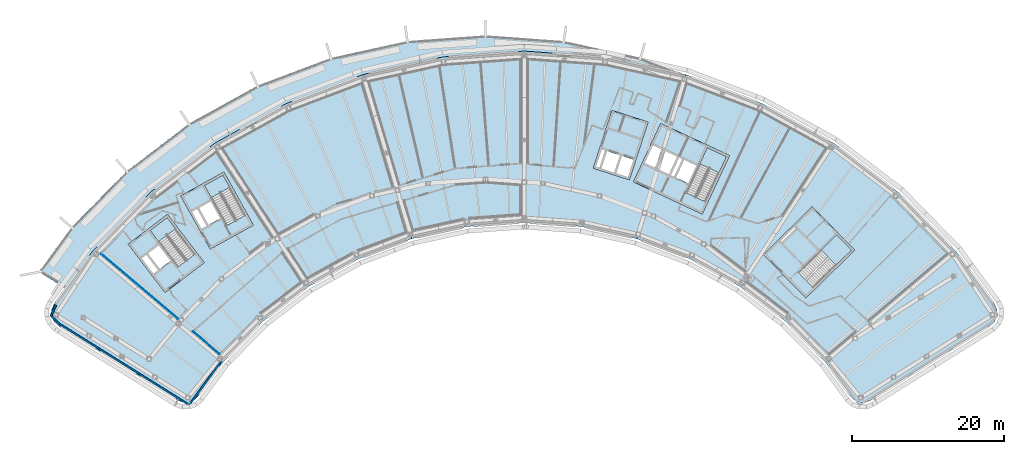
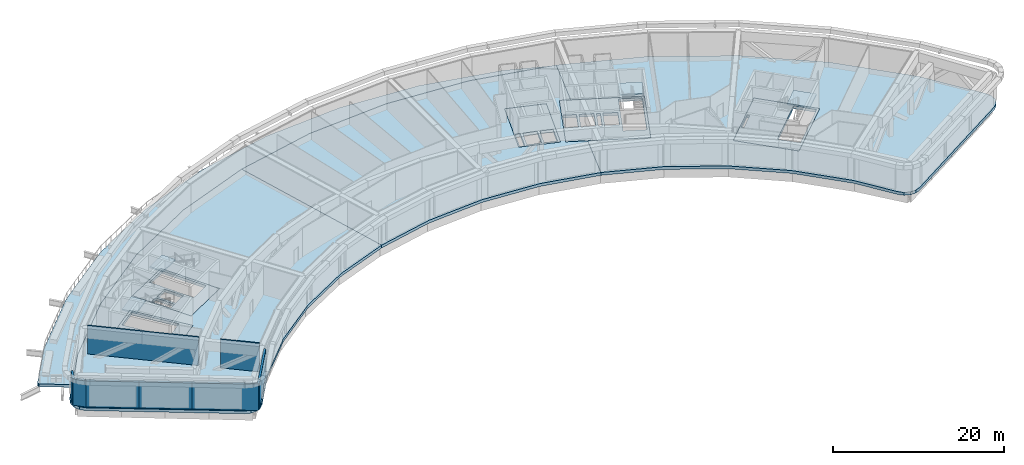
# One storey, part 6 of 24: 13 slabs, 8 walls, 4 elements without a shape of their own.
"""IFC4 building model written with IfcOpenShell, lengths in metres."""

from ifc_helpers import new_model, si_unit, direction, frame, frame_2d, origin, place, context, subcontext, project, spatial, polyline, rectangle, outline, extrude, material, layer, layer_set, type_object, element, aggregate, save


model = new_model("IFC4")

# Units and contexts
model_context = context("Model", 3, precision=1e-05, world=origin(), true_north=direction((0.0, 1.0)))
body_context = subcontext(model_context, "Body", "Model", "MODEL_VIEW")
ifc_project = project(units=[si_unit("LENGTHUNIT", "METRE"), si_unit("AREAUNIT", "SQUARE_METRE"), si_unit("VOLUMEUNIT", "CUBIC_METRE"), si_unit("PLANEANGLEUNIT", "RADIAN"), si_unit("MASSUNIT", "GRAM", prefix="KILO")], contexts=[model_context])

# Site, building, storey
site_placement = place(None, origin())
site = spatial("IfcSite", under=ifc_project, at=site_placement, CompositionType="ELEMENT")
building_placement = place(site_placement, origin())
building = spatial("IfcBuilding", under=site, at=building_placement, Name="Tuul Gate Civic Tower", CompositionType="ELEMENT")
storey_placement = place(building_placement, frame((0.0, 0.0, 243.89990234375)))
storey = spatial("IfcBuildingStorey", under=building, at=storey_placement, Name="Plant and refuge floor 6", CompositionType="ELEMENT", Elevation=243.89990234375)

# Slabs
ifc_material_1 = material(Name="Concrete C40/50", Category="concrete")
ifc_layer_1 = layer(ifc_material_1, 0.39990234375)
ifc_layer_set_1 = layer_set([ifc_layer_1], Name="Concrete C40/50")
slab_type_1 = type_object("IfcSlabType", Name="Core floor slab 400", PredefinedType="FLOOR", material=ifc_layer_set_1)
slab_1_placement = place(storey_placement, frame((0.0, 0.0, -0.400146484375)))
element("IfcSlab", 1, at=slab_1_placement, inside=storey, type_object=slab_type_1, Name="FLOOR SLAB", PredefinedType="FLOOR", context=body_context, shape_type="SweptSolid", body=[
    extrude(outline(polyline([(-31.10009765625, -13.7890625), (-35.946044921875, -7.423828125), (-41.11767578125, -11.361572265625), (-36.271484375, -17.726806640625), (-31.10009765625, -13.7890625)]), holes=[polyline([(-35.561767578125, -13.541259765625), (-37.1064453125, -11.512451171875), (-38.498779296875, -12.572509765625), (-36.9541015625, -14.6015625), (-35.561767578125, -13.541259765625)]), polyline([(-37.19287109375, -14.783203125), (-38.737548828125, -12.75439453125), (-39.45361328125, -13.299560546875), (-37.908935546875, -15.328369140625), (-37.19287109375, -14.783203125)]), polyline([(-32.33935546875, -12.65771484375), (-34.56591796875, -14.352783203125), (-38.229736328125, -9.54052734375), (-36.003173828125, -7.845458984375), (-32.33935546875, -12.65771484375)])]), origin(), (0.0, 0.0, 1.0), 0.400146484375),
])
slab_2_placement = place(storey_placement, frame((0.0, 0.0, -0.400146484375)))
element("IfcSlab", 2, at=slab_2_placement, inside=storey, type_object=slab_type_1, Name="FLOOR SLAB", PredefinedType="FLOOR", context=body_context, shape_type="SweptSolid", body=[
    extrude(outline(polyline([(-24.638916015625, -8.846923828125), (-28.51708984375, -1.849853515625), (-34.2021484375, -5.0009765625), (-30.32421875, -11.998046875), (-24.638916015625, -8.846923828125)]), holes=[polyline([(-29.0185546875, -7.958740234375), (-30.254638671875, -5.728515625), (-31.785400390625, -6.576904296875), (-30.54931640625, -8.80712890625), (-29.0185546875, -7.958740234375)]), polyline([(-30.8115234375, -8.95263671875), (-32.047607421875, -6.72216796875), (-32.8349609375, -7.158447265625), (-31.5986328125, -9.388916015625), (-30.8115234375, -8.95263671875)]), polyline([(-25.702392578125, -7.548828125), (-28.14990234375, -8.905517578125), (-31.08203125, -3.615234375), (-28.63427734375, -2.2587890625), (-25.702392578125, -7.548828125)])]), origin(), (0.0, 0.0, 1.0), 0.400146484375),
])
slab_3_placement = place(storey_placement, frame((0.0, 0.0, -0.400146484375)))
element("IfcSlab", 3, at=slab_3_placement, inside=storey, type_object=slab_type_1, Name="FLOOR SLAB", PredefinedType="FLOOR", context=body_context, shape_type="SweptSolid", body=[
    extrude(outline(polyline([(48.117919921875, -18.43310546875), (54.545166015625, -12.1328125), (48.945068359375, -6.419921875), (42.517822265625, -12.719970703125), (48.117919921875, -18.43310546875)]), holes=[polyline([(44.93896484375, -11.046875), (46.760009765625, -9.261962890625), (46.514892578125, -9.011962890625), (44.69384765625, -10.797119140625), (44.93896484375, -11.046875)]), polyline([(49.086181640625, -17.062744140625), (47.12744140625, -15.064208984375), (52.160888671875, -10.130126953125), (54.11962890625, -12.128662109375), (49.086181640625, -17.062744140625)])]), origin(), (0.0, 0.0, 1.0), 0.400146484375),
])
slab_4_placement = place(storey_placement, frame((0.0, 0.0, -0.400146484375)))
element("IfcSlab", 4, at=slab_4_placement, inside=storey, type_object=slab_type_1, Name="FLOOR SLAB", PredefinedType="FLOOR", context=body_context, shape_type="SweptSolid", body=[
    extrude(outline(polyline([(34.465087890625, -7.385986328125), (38.056884765625, 0.31787109375), (28.993896484375, 4.543701171875), (25.40185546875, -3.159912109375), (34.465087890625, -7.385986328125)]), holes=[polyline([(32.60888671875, -3.32080078125), (33.6865234375, -1.009765625), (32.1005859375, -0.27001953125), (31.02294921875, -2.581298828125), (32.60888671875, -3.32080078125)]), polyline([(30.0712890625, -2.137451171875), (31.14892578125, 0.173583984375), (29.562744140625, 0.9130859375), (28.4853515625, -1.39794921875), (30.0712890625, -2.137451171875)]), polyline([(30.751220703125, -2.454345703125), (31.82861328125, -0.143310546875), (31.4208984375, 0.046875), (30.34326171875, -2.264404296875), (30.751220703125, -2.454345703125)]), polyline([(28.21337890625, -1.27099609375), (29.291015625, 1.0400390625), (27.8408203125, 1.71630859375), (26.76318359375, -0.594970703125), (28.21337890625, -1.27099609375)]), polyline([(34.889892578125, -5.7626953125), (32.353759765625, -4.580078125), (35.120849609375, 1.354736328125), (37.6572265625, 0.17236328125), (34.889892578125, -5.7626953125)])]), origin(), (0.0, 0.0, 1.0), 0.400146484375),
])
ifc_material_2 = material(Name="Concrete C40/50", Category="concrete")
ifc_layer_2 = layer(ifc_material_2, 0.39990234375)
ifc_layer_set_2 = layer_set([ifc_layer_2], Name="Concrete C40/50")
slab_type_2 = type_object("IfcSlabType", Name="Core floor slab 400 non-bearing", PredefinedType="FLOOR", material=ifc_layer_set_2)
slab_5_placement = place(storey_placement, frame((0.0, 0.0, -0.400146484375)))
element("IfcSlab", 5, at=slab_5_placement, inside=storey, type_object=slab_type_2, Name="FLOOR SLAB", PredefinedType="FLOOR", context=body_context, shape_type="SweptSolid", body=[
    extrude(outline(polyline([(24.864990234375, -2.888916015625), (27.337890625, 4.71923828125), (22.58251953125, 6.264404296875), (20.109619140625, -1.343994140625), (24.864990234375, -2.888916015625)]), holes=[polyline([(24.67236328125, -2.510986328125), (25.414306640625, -0.228515625), (23.892578125, 0.265869140625), (23.150634765625, -2.0166015625), (24.67236328125, -2.510986328125)]), polyline([(22.865478515625, -1.923828125), (23.607177734375, 0.358642578125), (21.94287109375, 0.8994140625), (21.201171875, -1.383056640625), (22.865478515625, -1.923828125)]), polyline([(20.869384765625, -1.43310546875), (21.65771484375, 0.9921875), (21.0869140625, 1.177490234375), (20.298583984375, -1.24755859375), (20.869384765625, -1.43310546875)])]), origin(), (0.0, 0.0, 1.0), 0.400146484375),
])

# Stair, slab
ifc_material_3 = material(Name="Concrete C40/50", Category="concrete")
stair_type = type_object("IfcStairType", Name="Exit stair", PredefinedType="HALF_TURN_STAIR", material=ifc_material_3)
stair_1_placement = place(storey_placement, origin())
stair_1 = element("IfcStair", 6, at=stair_1_placement, inside=storey, type_object=stair_type, Name="Plant and refuge floor 6 ST-1", PredefinedType="HALF_TURN_STAIR")
ifc_material_4 = material(Name="Concrete C40/50", Category="concrete")
ifc_layer_3 = layer(ifc_material_4, 0.199951171875)
ifc_layer_set_3 = layer_set([ifc_layer_3], Name="Concrete C40/50")
slab_type_3 = type_object("IfcSlabType", Name="Exit stair landing", PredefinedType="LANDING", material=ifc_layer_set_3)
slab_6_placement = place(storey_placement, frame((0.0, 0.0, 2.050048828125)))
slab_6 = element("IfcSlab", 7, at=slab_6_placement, type_object=slab_type_3, Name="ST-1 landing 1", PredefinedType="LANDING", context=body_context, shape_type="SweptSolid", body=[
    extrude(outline(polyline([(-34.88134765625, -9.31640625), (-37.1103515625, -11.013427734375), (-38.23193359375, -9.540283203125), (-36.0029296875, -7.843017578125), (-34.88134765625, -9.31640625)])), origin(), (0.0, 0.0, 1.0), 0.199951171875),
])
aggregate(stair_1, [slab_6])

stair_2_placement = place(storey_placement, origin())
stair_2 = element("IfcStair", 8, at=stair_2_placement, inside=storey, type_object=stair_type, Name="Plant and refuge floor 6 ST-2", PredefinedType="HALF_TURN_STAIR")
slab_7_placement = place(storey_placement, frame((0.0, 0.0, 2.050048828125)))
slab_7 = element("IfcSlab", 9, at=slab_7_placement, type_object=slab_type_3, Name="ST-2 landing 1", PredefinedType="LANDING", context=body_context, shape_type="SweptSolid", body=[
    extrude(outline(polyline([(-27.736083984375, -3.8759765625), (-30.1865234375, -5.234130859375), (-31.084228515625, -3.61474609375), (-28.6337890625, -2.256591796875), (-27.736083984375, -3.8759765625)])), origin(), (0.0, 0.0, 1.0), 0.199951171875),
])
aggregate(stair_2, [slab_7])

stair_3_placement = place(storey_placement, origin())
stair_3 = element("IfcStair", 10, at=stair_3_placement, inside=storey, type_object=stair_type, Name="Plant and refuge floor 6 ST-3", PredefinedType="HALF_TURN_STAIR")
slab_8_placement = place(storey_placement, frame((0.0, 0.0, 2.050048828125)))
slab_8 = element("IfcSlab", 11, at=slab_8_placement, type_object=slab_type_3, Name="ST-3 landing 1", PredefinedType="LANDING", context=body_context, shape_type="SweptSolid", body=[
    extrude(outline(polyline([(52.085693359375, -14.124755859375), (50.12451171875, -12.1240234375), (52.160888671875, -10.1279296875), (54.1220703125, -12.128662109375), (52.085693359375, -14.124755859375)])), origin(), (0.0, 0.0, 1.0), 0.199951171875),
])
aggregate(stair_3, [slab_8])

stair_4_placement = place(storey_placement, origin())
stair_4 = element("IfcStair", 12, at=stair_4_placement, inside=storey, type_object=stair_type, Name="Plant and refuge floor 6 ST-4", PredefinedType="HALF_TURN_STAIR")
slab_9_placement = place(storey_placement, frame((0.0, 0.0, 2.050048828125)))
slab_9 = element("IfcSlab", 13, at=slab_9_placement, type_object=slab_type_3, Name="ST-4 landing 1", PredefinedType="LANDING", context=body_context, shape_type="SweptSolid", body=[
    extrude(outline(polyline([(36.66552734375, -1.958251953125), (34.12646484375, -0.7744140625), (35.1201171875, 1.35693359375), (37.659423828125, 0.173095703125), (36.66552734375, -1.958251953125)])), origin(), (0.0, 0.0, 1.0), 0.199951171875),
])
aggregate(stair_4, [slab_9])

# Slabs
ifc_material_5 = material(Name="Concrete C35/45", Category="concrete")
ifc_layer_4 = layer(ifc_material_5, 0.39990234375)
ifc_layer_set_4 = layer_set([ifc_layer_4], Name="Concrete C35/45")
slab_type_4 = type_object("IfcSlabType", Name="STR-FLOOR-SLAB-400", PredefinedType="FLOOR", material=ifc_layer_set_4)
slab_10_placement = place(storey_placement, frame((0.0, 0.0, -0.400146484375)))
element("IfcSlab", 14, at=slab_10_placement, inside=storey, type_object=slab_type_4, Name="Plant and refuge floor 6/slab/W", PredefinedType="FLOOR", context=body_context, shape_type="SweptSolid", body=[
    extrude(outline(polyline([(-10.802978515625, -13.294921875), (-3.782958984375, -10.64111328125), (-10.217041015625, 10.98095703125), (-20.285888671875, 7.174072265625), (-29.699951171875, 1.955078125), (-38.264892578125, -4.56591796875), (-45.800048828125, -12.2529296875), (-50.881103515625, -19.208984375), (-51.217041015625, -19.951904296875), (-51.22900390625, -20.76806640625), (-50.9140625, -21.52001953125), (-50.324951171875, -22.0849609375), (-34.594970703125, -31.9140625), (-33.90087890625, -32.18408203125), (-33.156005859375, -32.181884765625), (-32.464111328125, -31.906982421875), (-31.919921875, -31.39697265625), (-28.591064453125, -26.839111328125), (-23.337890625, -21.47998046875), (-17.366943359375, -16.93408203125), (-10.802978515625, -13.294921875)]), holes=[polyline([(-31.10009765625, -13.7890625), (-36.27197265625, -17.72705078125), (-41.117919921875, -11.362060546875), (-35.946044921875, -7.424072265625), (-31.10009765625, -13.7890625)]), polyline([(-24.638916015625, -8.846923828125), (-30.323974609375, -11.998046875), (-34.201904296875, -5.0009765625), (-28.51708984375, -1.85009765625), (-24.638916015625, -8.846923828125)])]), origin(), (0.0, 0.0, 1.0), 0.400146484375),
])
slab_11_placement = place(storey_placement, frame((0.0, 0.0, -0.400146484375)))
element("IfcSlab", 15, at=slab_11_placement, inside=storey, type_object=slab_type_4, Name="Plant and refuge floor 6/slab/M", PredefinedType="FLOOR", context=body_context, shape_type="SweptSolid", body=[
    extrude(outline(polyline([(18.51611328125, -9.02490234375), (25.844970703125, -10.64111328125), (27.74609375, -4.2529296875), (25.402099609375, -3.159912109375), (28.993896484375, 4.5439453125), (30.197021484375, 3.98291015625), (32.279052734375, 10.98095703125), (21.76708984375, 13.298095703125), (11.031005859375, 14.075927734375), (0.294921875, 13.298095703125), (-10.217041015625, 10.98095703125), (-3.782958984375, -10.64111328125), (3.5458984375, -9.02490234375), (11.031005859375, -8.48291015625), (18.51611328125, -9.02490234375)]), holes=[polyline([(20.110107421875, -1.343994140625), (22.58203125, 6.264892578125), (27.337890625, 4.719970703125), (24.864990234375, -2.888916015625), (20.110107421875, -1.343994140625)])]), origin(), (0.0, 0.0, 1.0), 0.400146484375),
])
slab_12_placement = place(storey_placement, frame((0.0, 0.0, -0.400146484375)))
element("IfcSlab", 16, at=slab_12_placement, inside=storey, type_object=slab_type_4, Name="Plant and refuge floor 6/slab/E", PredefinedType="FLOOR", context=body_context, shape_type="SweptSolid", body=[
    extrude(outline(polyline([(55.962890625, -32.18408203125), (56.656982421875, -31.9140625), (72.386962890625, -22.0849609375), (72.97607421875, -21.52001953125), (73.291015625, -20.76806640625), (73.279052734375, -19.951904296875), (72.94189453125, -19.208984375), (67.862060546875, -12.2529296875), (60.325927734375, -4.56591796875), (51.761962890625, 1.955078125), (42.347900390625, 7.174072265625), (32.279052734375, 10.98095703125), (30.197021484375, 3.98291015625), (38.056884765625, 0.318115234375), (34.465087890625, -7.385986328125), (27.74609375, -4.2529296875), (25.844970703125, -10.64111328125), (32.864990234375, -13.294921875), (39.428955078125, -16.93408203125), (45.39990234375, -21.47998046875), (50.653076171875, -26.839111328125), (53.98193359375, -31.39697265625), (54.52587890625, -31.906982421875), (55.218017578125, -32.181884765625), (55.962890625, -32.18408203125)]), holes=[polyline([(48.117919921875, -18.43310546875), (42.51806640625, -12.719970703125), (48.945068359375, -6.419921875), (54.544921875, -12.133056640625), (48.117919921875, -18.43310546875)])]), origin(), (0.0, 0.0, 1.0), 0.400146484375),
])
ifc_material_6 = material(Name="Concrete C40/50", Category="concrete")
ifc_layer_5 = layer(ifc_material_6, 0.39990234375)
ifc_layer_set_5 = layer_set([ifc_layer_5], Name="Concrete C40/50")
slab_type_5 = type_object("IfcSlabType", Name="STR-TERRACE-SLAB-400", PredefinedType="ROOF", material=ifc_layer_set_5)
slab_13_placement = place(storey_placement, frame((0.0, 0.0, -0.400146484375)))
element("IfcSlab", 17, at=slab_13_placement, inside=storey, type_object=slab_type_5, Name="terrace 1", PredefinedType="ROOF", context=body_context, shape_type="SweptSolid", body=[
    extrude(outline(polyline([(-52.569091796875, -15.176025390625), (-52.657958984375, -15.091064453125), (-52.705078125, -14.97802734375), (-52.702880859375, -14.85595703125), (-52.653076171875, -14.7451171875), (-48.55810546875, -9.138916015625), (-41.33203125, -1.76708984375), (-33.1201171875, 4.486083984375), (-24.091064453125, 9.489990234375), (-14.43603515625, 13.14208984375), (-4.35595703125, 15.363037109375), (5.93994140625, 16.10888671875), (16.235107421875, 15.363037109375), (26.31591796875, 13.14208984375), (31.68017578125, 11.113037109375), (21.76708984375, 13.298095703125), (11.031005859375, 14.075927734375), (0.294921875, 13.298095703125), (-10.217041015625, 10.98095703125), (-20.285888671875, 7.174072265625), (-29.699951171875, 1.955078125), (-38.264892578125, -4.56591796875), (-45.800048828125, -12.2529296875), (-49.387451171875, -17.164306640625), (-52.569091796875, -15.176025390625)])), origin(), (0.0, 0.0, 1.0), 0.400146484375),
])

# Walls
ifc_material_7 = material(Name="Precast concrete C40/50", Category="concrete")
ifc_layer_6 = layer(ifc_material_7, 0.25)
ifc_layer_set_6 = layer_set([ifc_layer_6], Name="Precast concrete C40/50")
wall_type_1 = type_object("IfcWallType", Name="External wall", PredefinedType="STANDARD", material=ifc_layer_set_6)
wall_1_placement = place(storey_placement, frame((-50.645263671875, -19.3486328125, 0.0), z_axis=(0.0, 0.0, 1.0), x_axis=(-0.412995937313, -0.9107328674, 0.0)))
element("IfcWall", 18, at=wall_1_placement, inside=storey, type_object=wall_type_1, Name="External wall", PredefinedType="STANDARD", context=body_context, shape_type="SweptSolid", body=[
    extrude(rectangle(XDim=1.572998046875, YDim=0.25, at=frame_2d((0.78662109375, 0.0))), origin(), (0.0, 0.0, 1.0), 3.75),
])
wall_2_placement = place(storey_placement, frame((-51.294921875, -20.78125, 0.0), z_axis=(0.0, 0.0, 1.0), x_axis=(0.722783622894, -0.69107440589, 0.0)))
element("IfcWall", 19, at=wall_2_placement, inside=storey, type_object=wall_type_1, Name="External wall", PredefinedType="STANDARD", context=body_context, shape_type="SweptSolid", body=[
    extrude(rectangle(XDim=1.570556640625, YDim=0.25, at=frame_2d((0.78515625, 0.0))), origin(), (0.0, 0.0, 1.0), 3.75),
])
wall_3_placement = place(storey_placement, frame((-50.1796875, -21.85107421875, 0.0), z_axis=(0.0, 0.0, 1.0), x_axis=(0.848024923451, -0.529956346509, 0.0)))
element("IfcWall", 20, at=wall_3_placement, inside=storey, type_object=wall_type_1, Name="External wall", PredefinedType="STANDARD", context=body_context, shape_type="SweptSolid", body=[
    extrude(rectangle(XDim=6.182861328125, YDim=0.25, at=frame_2d((3.09130859375, 0.0))), origin(), (0.0, 0.0, 1.0), 3.75),
])
wall_4_placement = place(storey_placement, frame((-44.9365234375, -25.127685546875, 0.0), z_axis=(0.0, 0.0, 1.0), x_axis=(0.848036012993, -0.529938600846, 0.0)))
element("IfcWall", 21, at=wall_4_placement, inside=storey, type_object=wall_type_1, Name="External wall", PredefinedType="STANDARD", context=body_context, shape_type="SweptSolid", body=[
    extrude(rectangle(XDim=6.18310546875, YDim=0.25, at=frame_2d((3.091552734375, 0.0))), origin(), (0.0, 0.0, 1.0), 3.75),
])
wall_5_placement = place(storey_placement, frame((-39.693115234375, -28.404296875, 0.0), z_axis=(0.0, 0.0, 1.0), x_axis=(0.848019436648, -0.529965126274, 0.0)))
element("IfcWall", 22, at=wall_5_placement, inside=storey, type_object=wall_type_1, Name="External wall", PredefinedType="STANDARD", context=body_context, shape_type="SweptSolid", body=[
    extrude(rectangle(XDim=7.7880859375, YDim=0.25, at=frame_2d((3.89404296875, 0.0))), origin(), (0.0, 0.0, 1.0), 3.75),
])
wall_6_placement = place(storey_placement, frame((-33.088623046875, -32.53173828125, 0.0), z_axis=(0.0, 0.0, 1.0), x_axis=(0.589725845544, 0.807603508597, 0.0)))
element("IfcWall", 23, at=wall_6_placement, inside=storey, type_object=wall_type_1, Name="External wall", PredefinedType="STANDARD", context=body_context, shape_type="SweptSolid", body=[
    extrude(rectangle(XDim=7.1591796875, YDim=0.25, at=frame_2d((3.57958984375, 0.0))), origin(), (0.0, 0.0, 1.0), 3.75),
])
ifc_material_8 = material(Name="Gypsum board partition")
ifc_layer_7 = layer(ifc_material_8, 0.10009765625)
ifc_layer_set_7 = layer_set([ifc_layer_7], Name="Gypsum board partition")
wall_type_2 = type_object("IfcWallType", Name="Partition P100", PredefinedType="PARTITIONING", material=ifc_layer_set_7)
wall_7_placement = place(storey_placement, frame((-29.078369140625, -25.836181640625, 0.0), z_axis=(0.0, 0.0, 1.0), x_axis=(-0.76284527952, 0.64658106956, 0.0)))
element("IfcWall", 24, at=wall_7_placement, inside=storey, type_object=wall_type_2, Name="p136", PredefinedType="PARTITIONING", context=body_context, shape_type="SweptSolid", body=[
    extrude(rectangle(XDim=4.6240234375, YDim=0.10009765625, at=frame_2d((2.31201171875, 0.0))), origin(), (0.0, 0.0, 1.0), 4.10009765625),
])
wall_8_placement = place(storey_placement, frame((-34.584716796875, -21.1689453125, 0.0), z_axis=(0.0, 0.0, 1.0), x_axis=(-0.762847947159, 0.64657792223, 0.0)))
element("IfcWall", 25, at=wall_8_placement, inside=storey, type_object=wall_type_2, Name="p138", PredefinedType="PARTITIONING", context=body_context, shape_type="SweptSolid", body=[
    extrude(rectangle(XDim=13.23486328125, YDim=0.10009765625, at=frame_2d((6.617431640625, 0.0))), origin(), (0.0, 0.0, 1.0), 4.10009765625),
])

save(model, "model.ifc")
